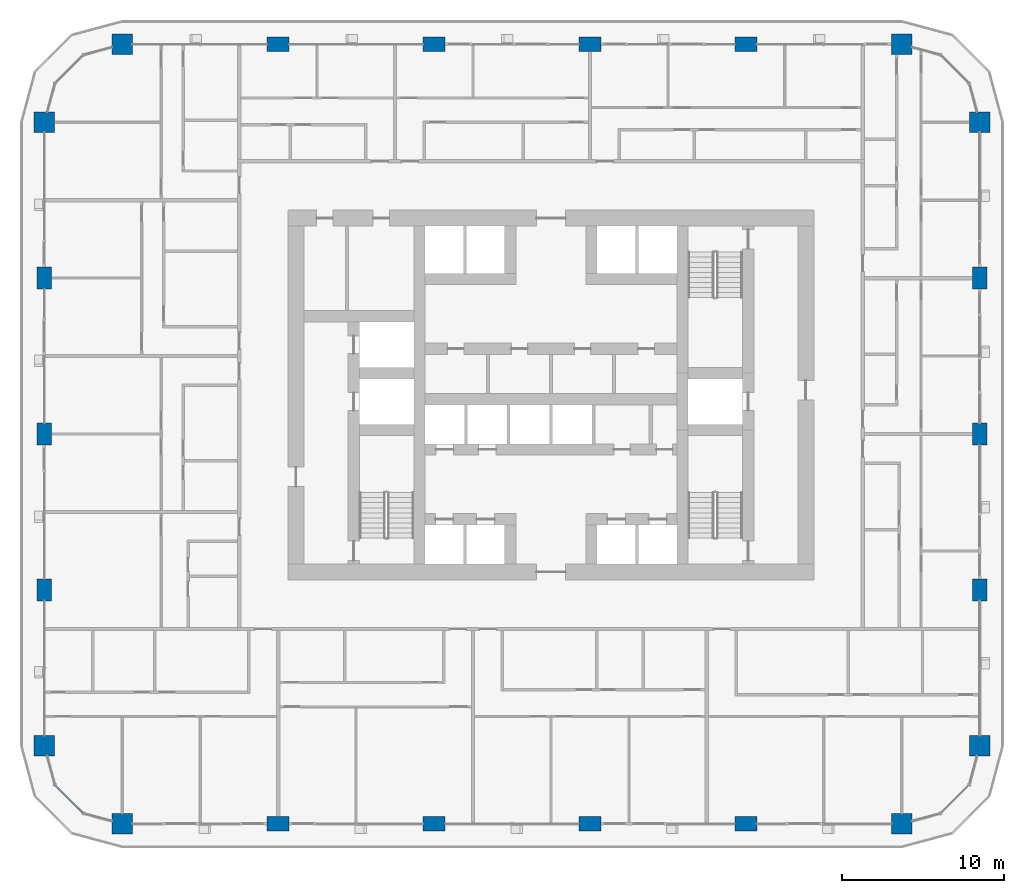
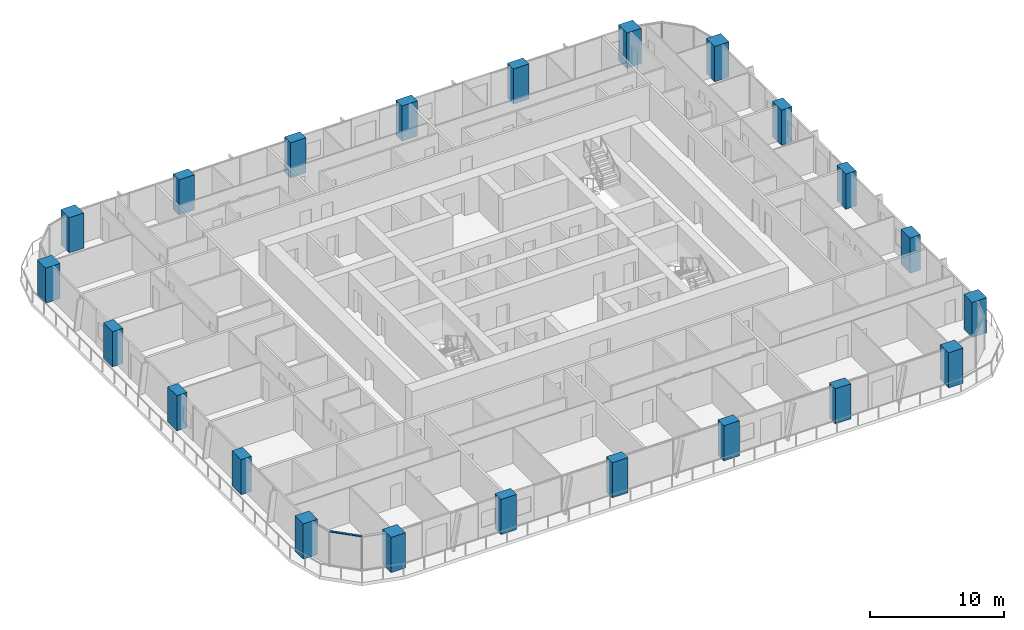
# One storey, part 1 of 21: 22 columns, 1 member, 1 element without a shape of its own.
"""IFC4 building model written with IfcOpenShell, lengths in metres."""

from ifc_helpers import new_model, si_unit, direction, frame, origin, origin_2d, place, context, subcontext, project, spatial, rectangle, extrude, material, layer, layer_set, material_profile, profile_set, type_object, element, aggregate, save


model = new_model("IFC4")

# Units and contexts
model_context = context("Model", 3, precision=1e-05, world=origin(), true_north=direction((0.0, 1.0)))
body_context = subcontext(model_context, "Body", "Model", "MODEL_VIEW")
ifc_project = project(units=[si_unit("LENGTHUNIT", "METRE"), si_unit("AREAUNIT", "SQUARE_METRE"), si_unit("VOLUMEUNIT", "CUBIC_METRE"), si_unit("PLANEANGLEUNIT", "RADIAN"), si_unit("MASSUNIT", "GRAM", prefix="KILO")], contexts=[model_context])

# Site, building, storey
site_placement = place(None, origin())
site = spatial("IfcSite", under=ifc_project, at=site_placement, CompositionType="ELEMENT")
building_placement = place(site_placement, origin())
building = spatial("IfcBuilding", under=site, at=building_placement, Name="Madar Terraces", CompositionType="ELEMENT")
storey_placement = place(building_placement, frame((0.0, 0.0, 46.89990234375)))
storey = spatial("IfcBuildingStorey", under=building, at=storey_placement, Name="L11", CompositionType="ELEMENT", Elevation=46.89990234375)

# Columns
ifc_material_1 = material(Name="Concrete C80/95", Category="concrete")
ifc_material_profile_1 = material_profile(ifc_material_1, rectangle(XDim=1.35009765625, YDim=0.89990234375, at=origin_2d()), Name="CC1 RC 1350x900")
ifc_profile_set_1 = profile_set([ifc_material_profile_1], Name="Concrete C80/95")
column_type_1 = type_object("IfcColumnType", Name="CC1 RC 1350x900", PredefinedType="COLUMN", material=ifc_profile_set_1)
for number, where, z_axis, x_axis, name in (
    (1, (14.39990234375, 0.0, 0.0), (0.0, 0.0, 1.0), (1.0, 0.0, 0.0), "Perimeter column S2"),
    (2, (24.0, 0.0, 0.0), (0.0, 0.0, 1.0), (1.0, 0.0, 0.0), "Perimeter column S3"),
    (3, (33.60009765625, 0.0, 0.0), (0.0, 0.0, 1.0), (1.0, 0.0, 0.0), "Perimeter column S4"),
    (4, (43.199951171875, 0.0, 0.0), (0.0, 0.0, 1.0), (1.0, 0.0, 0.0), "Perimeter column S5"),
    (5, (57.60009765625, 14.39990234375, 0.0), (0.0, 0.0, 1.0), (0.0, 1.0, 0.0), "Perimeter column E2"),
    (6, (57.60009765625, 24.0, 0.0), (0.0, 0.0, 1.0), (0.0, 1.0, 0.0), "Perimeter column E3"),
    (7, (57.60009765625, 33.60009765625, 0.0), (0.0, 0.0, 1.0), (0.0, 1.0, 0.0), "Perimeter column E4"),
    (8, (43.199951171875, 48.0, 0.0), (0.0, 0.0, 1.0), (1.0, 0.0, 0.0), "Perimeter column N2"),
    (9, (33.60009765625, 48.0, 0.0), (0.0, 0.0, 1.0), (1.0, 0.0, 0.0), "Perimeter column N3"),
    (10, (24.0, 48.0, 0.0), (0.0, 0.0, 1.0), (1.0, 0.0, 0.0), "Perimeter column N4"),
    (11, (14.39990234375, 48.0, 0.0), (0.0, 0.0, 1.0), (1.0, 0.0, 0.0), "Perimeter column N5"),
    (12, (0.0, 33.60009765625, 0.0), (0.0, 0.0, 1.0), (0.0, 1.0, 0.0), "Perimeter column W2"),
    (13, (0.0, 24.0, 0.0), (0.0, 0.0, 1.0), (0.0, 1.0, 0.0), "Perimeter column W3"),
    (14, (0.0, 14.39990234375, 0.0), (0.0, 0.0, 1.0), (0.0, 1.0, 0.0), "Perimeter column W4"),
):
    element("IfcColumn", number, at=place(storey_placement, frame(where, z_axis=z_axis, x_axis=x_axis)), inside=storey, type_object=column_type_1, Name=name, PredefinedType="COLUMN", context=body_context, shape_type="SweptSolid", body=[
        extrude(rectangle(XDim=1.35009765625, YDim=0.89990234375, at=origin_2d()), origin(), (0.0, 0.0, 1.0), 3.2001953125),
    ])
ifc_material_2 = material(Name="Concrete C80/95", Category="concrete")
ifc_material_profile_2 = material_profile(ifc_material_2, rectangle(XDim=1.25, YDim=1.25, at=origin_2d()), Name="KC1 RC 1250x1250")
ifc_profile_set_2 = profile_set([ifc_material_profile_2], Name="Concrete C80/95")
column_type_2 = type_object("IfcColumnType", Name="KC1 RC 1250x1250", PredefinedType="COLUMN", material=ifc_profile_set_2)
for number, where, z_axis, x_axis, name in (
    (15, (4.800048828125, 0.0, 0.0), (0.0, 0.0, 1.0), (1.0, 0.0, 0.0), "Perimeter column S1"),
    (16, (52.800048828125, 0.0, 0.0), (0.0, 0.0, 1.0), (1.0, 0.0, 0.0), "Perimeter column S6"),
    (17, (57.60009765625, 4.800048828125, 0.0), (0.0, 0.0, 1.0), (1.0, 0.0, 0.0), "Perimeter column E1"),
    (18, (57.60009765625, 43.199951171875, 0.0), (0.0, 0.0, 1.0), (1.0, 0.0, 0.0), "Perimeter column E5"),
    (19, (52.800048828125, 48.0, 0.0), (0.0, 0.0, 1.0), (1.0, 0.0, 0.0), "Perimeter column N1"),
    (20, (4.800048828125, 48.0, 0.0), (0.0, 0.0, 1.0), (1.0, 0.0, 0.0), "Perimeter column N6"),
    (21, (0.0, 43.199951171875, 0.0), (0.0, 0.0, 1.0), (1.0, 0.0, 0.0), "Perimeter column W1"),
    (22, (0.0, 4.800048828125, 0.0), (0.0, 0.0, 1.0), (1.0, 0.0, 0.0), "Perimeter column W5"),
):
    element("IfcColumn", number, at=place(storey_placement, frame(where, z_axis=z_axis, x_axis=x_axis)), inside=storey, type_object=column_type_2, Name=name, PredefinedType="COLUMN", context=body_context, shape_type="SweptSolid", body=[
        extrude(rectangle(XDim=1.25, YDim=1.25, at=origin_2d()), origin(), (0.0, 0.0, 1.0), 3.2001953125),
    ])

# Curtain wall, member
ifc_material_3 = material(Name="Glass, ceramic frit dark grey, with black aluminium frame", Category="aluminium")
ifc_layer = layer(ifc_material_3, 0.199951171875)
ifc_layer_set = layer_set([ifc_layer], Name="Facade curtain wall, fritted glass")
curtain_wall_type = type_object("IfcCurtainWallType", Name="Facade curtain wall, fritted glass", PredefinedType="NOTDEFINED", material=ifc_layer_set)
curtain_wall_placement = place(storey_placement, origin())
curtain_wall = element("IfcCurtainWall", 23, at=curtain_wall_placement, inside=storey, type_object=curtain_wall_type, Name="Outer skin curtain wall south-west corner", PredefinedType="NOTDEFINED")
ifc_material_4 = material(Name="Aluminium, black anodised", Category="aluminium")
ifc_material_profile_3 = material_profile(ifc_material_4, rectangle(XDim=0.1201171875, YDim=0.06005859375, at=origin_2d()), Name="Facade transom 60x120")
ifc_profile_set_3 = profile_set([ifc_material_profile_3], Name="Aluminium, black anodised")
member_type = type_object("IfcMemberType", Name="Facade transom 60x120", PredefinedType="USERDEFINED", material=ifc_profile_set_3)
member_placement = place(storey_placement, frame((0.664306640625, 2.37890625, 3.170166015625), z_axis=(0.707106781187, -0.707106781187, 0.0), x_axis=(0.707106781187, 0.707106781187, 0.0)))
member = element("IfcMember", 24, at=member_placement, type_object=member_type, Name="Transom 2", ObjectType="TRANSOM", PredefinedType="USERDEFINED", context=body_context, shape_type="SweptSolid", body=[
    extrude(rectangle(XDim=0.1201171875, YDim=0.06005859375, at=origin_2d()), origin(), (0.0, 0.0, 1.0), 2.4248046875),
])
aggregate(curtain_wall, [member])

save(model, "model.ifc")
